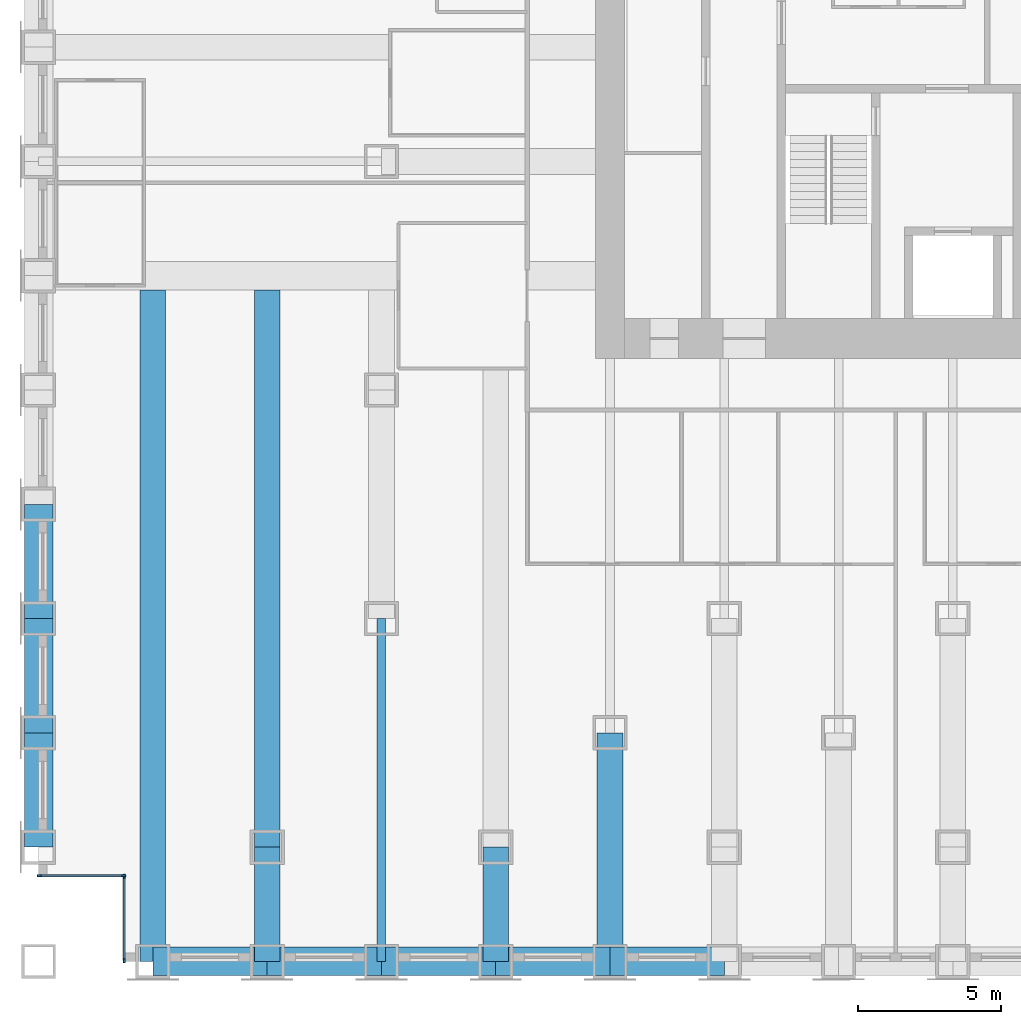
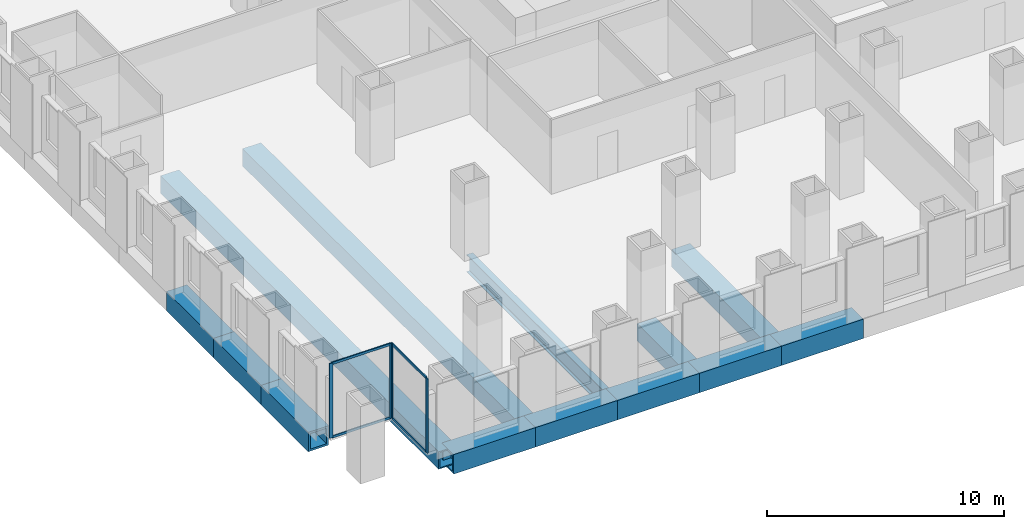
# One storey, part 2 of 15: 14 beams, 8 members, 2 elements without a shape of their own.
"""IFC4 building model written with IfcOpenShell, lengths in metres."""

import ifcopenshell
import ifcopenshell.guid

model = None  # the IFC model being written
_history = None  # IfcOwnerHistory: only IFC2X3 demands one
_inside = {}  # id of a spatial element -> (the spatial element, [elements in it])
_under = {}  # id of a project, library or spatial element -> (it, [spatial elements below it])
_declared = {}  # id of a project -> (the project, [libraries it declares])
_typed = {}  # id of a type object -> (the type object, [elements of that type])
_made_of = {}  # id of a material, layer set ... -> (it, [elements and type objects made of it])


def new_model(schema):
    """Start an empty IFC model of exactly this schema.

    Asked for "IFC4X3", IfcOpenShell would pick the latest addendum, in which some entities
    have other attributes; the version numbers below select the first issue.
    IFC2X3 requires an IfcOwnerHistory on every rooted entity: one is made here for all.
    """
    global model, _history
    if schema == "IFC4X3":
        model = ifcopenshell.file(schema_version=(4, 3, 0, 0))
    else:
        model = ifcopenshell.file(schema=schema)
    _inside.clear()
    _under.clear()
    _declared.clear()
    _typed.clear()
    _made_of.clear()
    _history = None
    if model.schema == "IFC2X3":
        org = make("IfcOrganization", Name="unknown")
        user = make(
            "IfcPersonAndOrganization",
            ThePerson=make("IfcPerson", FamilyName="unknown"),
            TheOrganization=org,
        )
        app = make(
            "IfcApplication",
            ApplicationDeveloper=org,
            Version="unknown",
            ApplicationFullName="unknown",
            ApplicationIdentifier="unknown",
        )
        _history = make(
            "IfcOwnerHistory",
            OwningUser=user,
            OwningApplication=app,
            ChangeAction="ADDED",
            CreationDate=0,
        )
    return model


def make(cls, **values):
    """One entity of the class cls with the attributes given. An attribute that is None is left unset."""
    return model.create_entity(
        cls, **{name: value for name, value in values.items() if value is not None}
    )


def rooted(cls, **values):
    """An entity with a GlobalId (a new one), such as an element, a storey or a relation."""
    return make(cls, GlobalId=ifcopenshell.guid.new(), OwnerHistory=_history, **values)


def si_unit(unit_type, name, prefix=None):
    """IfcSIUnit, for example si_unit("LENGTHUNIT", "METRE", prefix="MILLI")."""
    return make("IfcSIUnit", UnitType=unit_type, Prefix=prefix, Name=name)


def assignment(units):
    """IfcUnitAssignment: the units of a project."""
    return None if units is None else make("IfcUnitAssignment", Units=units)


def point(xyz):
    """IfcCartesianPoint."""
    return None if xyz is None else make("IfcCartesianPoint", Coordinates=xyz)


def direction(xyz):
    """IfcDirection."""
    return None if xyz is None else make("IfcDirection", DirectionRatios=xyz)


def frame(location, z_axis=None, x_axis=None):
    """IfcAxis2Placement3D, a coordinate frame: its origin and axes. An axis left out is left unset."""
    return make(
        "IfcAxis2Placement3D",
        Location=point(location),
        Axis=direction(z_axis),
        RefDirection=direction(x_axis),
    )


def frame_2d(location, x_axis=None):
    """IfcAxis2Placement2D, a coordinate frame in the plane: its origin and x axis."""
    return make(
        "IfcAxis2Placement2D", Location=point(location), RefDirection=direction(x_axis)
    )


def origin():
    """The frame at (0, 0, 0) with its axes left unset."""
    return frame((0.0, 0.0, 0.0))


def origin_2d():
    """The frame at (0, 0) in the plane with its x axis left unset."""
    return frame_2d((0.0, 0.0))


def place(relative_to, where):
    """IfcLocalPlacement: puts the frame where relative to a parent placement (None: the world)."""
    return make(
        "IfcLocalPlacement", PlacementRelTo=relative_to, RelativePlacement=where
    )


def context(
    kind, dimensions, precision=None, world=None, true_north=None, identifier=None
):
    """IfcGeometricRepresentationContext, for example the 3D "Model" context."""
    return make(
        "IfcGeometricRepresentationContext",
        ContextIdentifier=identifier,
        ContextType=kind,
        CoordinateSpaceDimension=dimensions,
        Precision=precision,
        WorldCoordinateSystem=world,
        TrueNorth=true_north,
    )


def subcontext(parent, identifier, kind, view, scale=None):
    """IfcGeometricRepresentationSubContext, for example "Body" below "Model"."""
    return make(
        "IfcGeometricRepresentationSubContext",
        ContextIdentifier=identifier,
        ContextType=kind,
        ParentContext=parent,
        TargetScale=scale,
        TargetView=view,
    )


def project(units=None, contexts=None):
    """IfcProject with its units and contexts."""
    return rooted(
        "IfcProject",
        Name="project",
        RepresentationContexts=contexts,
        UnitsInContext=assignment(units),
    )


def spatial(cls, under=None, at=None, **own):
    """A site, building, storey or space (cls), placed at a placement, below another one or the project."""
    s = rooted(cls, ObjectPlacement=at, **own)
    if under is not None:
        _under.setdefault(under.id(), (under, []))[1].append(s)
    return s


def profile(cls, at=None, kind="AREA", **sizes):
    """A parametric profile (cls). Its sizes go by their IFC names, for example OverallWidth=200.0."""
    return make(cls, ProfileType=kind, Position=at, **sizes)


def rectangle(**sizes):
    """IfcRectangleProfileDef."""
    return profile("IfcRectangleProfileDef", **sizes)


def hollow_rectangle(**sizes):
    """IfcRectangleHollowProfileDef."""
    return profile("IfcRectangleHollowProfileDef", **sizes)


def i_section(**sizes):
    """IfcIShapeProfileDef."""
    return profile("IfcIShapeProfileDef", **sizes)


def extrude(swept, where, along, depth):
    """IfcExtrudedAreaSolid: the profile swept, set in the frame where, extruded along a direction by depth."""
    return make(
        "IfcExtrudedAreaSolid",
        SweptArea=swept,
        Position=where,
        ExtrudedDirection=direction(along),
        Depth=depth,
    )


def shape(context_of_items, identifier, shape_type, items):
    """IfcShapeRepresentation: the items that make up one representation, for example the "Body"."""
    return make(
        "IfcShapeRepresentation",
        ContextOfItems=context_of_items,
        RepresentationIdentifier=identifier,
        RepresentationType=shape_type,
        Items=items,
    )


def material(Name=None, Category=None):
    """IfcMaterial."""
    return make("IfcMaterial", Name=Name, Category=Category)


def material_profile(
    of_material, cross_section, Name=None, Category=None, Priority=None
):
    """IfcMaterialProfile: a cross section and its material."""
    return make(
        "IfcMaterialProfile",
        Name=Name,
        Material=of_material,
        Profile=cross_section,
        Priority=Priority,
        Category=Category,
    )


def profile_set(profiles, Name=None, composite=None):
    """IfcMaterialProfileSet."""
    return make(
        "IfcMaterialProfileSet",
        Name=Name,
        MaterialProfiles=profiles,
        CompositeProfile=composite,
    )


def made_of(thing, what):
    """Note that an element or type object is made of a material, layer set ...; save() writes the relation."""
    if what is not None:
        _made_of.setdefault(what.id(), (what, []))[1].append(thing)
    return thing


def type_object(cls, material=None, **own):
    """A type object (cls), such as IfcWallType, which elements share."""
    return made_of(rooted(cls, **own), material)


def element(
    cls,
    number,
    at=None,
    inside=None,
    cuts=None,
    type_object=None,
    material=None,
    context=None,
    identifier="Body",
    shape_type=None,
    held_by="IfcProductDefinitionShape",
    body=None,
    shapes=None,
    **own,
):
    """One element of the class cls, such as IfcWall. Its Tag is "e" and its number.

    at: its placement. inside: the storey or other place that contains it. cuts: it is an
    opening in that element (IfcRelVoidsElement). A single representation is given by context,
    identifier, shape_type and body (its items); several are given by shapes. held_by: the class
    of the entity that holds the representations. save() writes the other relations.
    """
    e = rooted(cls, Tag="e%d" % number, ObjectPlacement=at, **own)
    if body is not None:
        shapes = [shape(context, identifier, shape_type, body)]
    if shapes is not None:
        e.Representation = make(held_by, Representations=shapes)
    if inside is not None:
        _inside.setdefault(inside.id(), (inside, []))[1].append(e)
    if cuts is not None:
        rooted(
            "IfcRelVoidsElement", RelatingBuildingElement=cuts, RelatedOpeningElement=e
        )
    if type_object is not None:
        _typed.setdefault(type_object.id(), (type_object, []))[1].append(e)
    return made_of(e, material)


def aggregate(whole, parts):
    """IfcRelAggregates: a whole, such as a stair, and the parts it consists of."""
    return rooted("IfcRelAggregates", RelatingObject=whole, RelatedObjects=parts)


def save(model, path):
    """Write the relations noted so far, then the file.

    IfcRelAggregates (storeys below a building ...), IfcRelContainedInSpatialStructure (elements
    in a storey), IfcRelDefinesByType, IfcRelAssociatesMaterial and IfcRelDeclares: one each for
    every whole, place, type object, material and project.
    """
    for whole, parts in _under.values():
        aggregate(whole, parts)
    for where, things in _inside.values():
        rooted(
            "IfcRelContainedInSpatialStructure",
            RelatedElements=things,
            RelatingStructure=where,
        )
    for kind, things in _typed.values():
        rooted("IfcRelDefinesByType", RelatedObjects=things, RelatingType=kind)
    for what, things in _made_of.values():
        rooted("IfcRelAssociatesMaterial", RelatedObjects=things, RelatingMaterial=what)
    for by, libraries in _declared.values():
        rooted("IfcRelDeclares", RelatingContext=by, RelatedDefinitions=libraries)
    model.write(path)


model = new_model("IFC4")

# Units and contexts
model_context = context("Model", 3, precision=1e-05, world=origin(), true_north=direction((0.0, 1.0)))
body_context = subcontext(model_context, "Body", "Model", "MODEL_VIEW")
ifc_project = project(units=[si_unit("LENGTHUNIT", "METRE"), si_unit("AREAUNIT", "SQUARE_METRE"), si_unit("VOLUMEUNIT", "CUBIC_METRE"), si_unit("PLANEANGLEUNIT", "RADIAN"), si_unit("MASSUNIT", "GRAM", prefix="KILO")], contexts=[model_context])

# Site, building, storey
site_placement = place(None, origin())
site = spatial("IfcSite", under=ifc_project, at=site_placement, CompositionType="ELEMENT")
building_placement = place(site_placement, origin())
building = spatial("IfcBuilding", under=site, at=building_placement, Name="Rimbunsela Tower", CompositionType="ELEMENT")
storey_placement = place(building_placement, frame((0.0, 0.0, 27.0)))
storey = spatial("IfcBuildingStorey", under=building, at=storey_placement, Name="L06", CompositionType="ELEMENT", Elevation=27.0)

# Beams
ifc_material_1 = material(Name="Steel BJ 55 (fy 410 MPa)", Category="steel")
ifc_material_profile_1 = material_profile(ifc_material_1, hollow_rectangle(XDim=1.0, YDim=1.0, WallThickness=0.10009765625, at=origin_2d()), Name="BOX 1000x1000x100")
ifc_profile_set_1 = profile_set([ifc_material_profile_1], Name="Steel BJ 55 (fy 410 MPa)")
beam_type_1 = type_object("IfcBeamType", Name="Beam BOX 1000x1000x100", PredefinedType="BEAM", material=ifc_profile_set_1)
for number, where, z_axis, x_axis, name in (
    (1, (-2.0, 0.0, -0.64990234375), (0.0, 1.0, 0.0), (-1.0, 0.0, 0.0), "Beam B3 L06"),
    (2, (-2.0, 4.0, -0.64990234375), (0.0, 1.0, 0.0), (-1.0, 0.0, 0.0), "Beam B3 L06"),
    (3, (-2.0, 8.0, -0.64990234375), (0.0, 1.0, 0.0), (-1.0, 0.0, 0.0), "Beam B3 L06"),
    (4, (2.0, -4.0, -0.64990234375), (1.0, 0.0, 0.0), (0.0, 1.0, 0.0), "Beam B3 L06"),
    (5, (6.0, -4.0, -0.64990234375), (1.0, 0.0, 0.0), (0.0, 1.0, 0.0), "Beam B3 L06"),
    (6, (10.0, -4.0, -0.64990234375), (1.0, 0.0, 0.0), (0.0, 1.0, 0.0), "Beam B3 L06"),
    (7, (14.0, -4.0, -0.64990234375), (1.0, 0.0, 0.0), (0.0, 1.0, 0.0), "Beam B3 L06"),
    (8, (18.0, -4.0, -0.64990234375), (1.0, 0.0, 0.0), (0.0, 1.0, 0.0), "Beam B3 L06"),
):
    element("IfcBeam", number, at=place(storey_placement, frame(where, z_axis=z_axis, x_axis=x_axis)), inside=storey, type_object=beam_type_1, Name=name, PredefinedType="BEAM", context=body_context, shape_type="SweptSolid", body=[
        extrude(hollow_rectangle(XDim=1.0, YDim=1.0, WallThickness=0.10009765625, at=origin_2d()), origin(), (0.0, 0.0, 1.0), 4.0),
    ])
ifc_material_2 = material(Name="Steel BJ 55 (fy 410 MPa)", Category="steel")
ifc_material_profile_2 = material_profile(ifc_material_2, hollow_rectangle(XDim=0.89990234375, YDim=0.89990234375, WallThickness=0.06005859375, at=origin_2d()), Name="BOX 900x900x60")
ifc_profile_set_2 = profile_set([ifc_material_profile_2], Name="Steel BJ 55 (fy 410 MPa)")
beam_type_2 = type_object("IfcBeamType", Name="Beam BOX 900x900x60", PredefinedType="BEAM", material=ifc_profile_set_2)
beam_1_placement = place(storey_placement, frame((2.0, -4.0, -0.60009765625), z_axis=(0.0, 1.0, 0.0), x_axis=(-1.0, 0.0, 0.0)))
element("IfcBeam", 9, at=beam_1_placement, inside=storey, type_object=beam_type_2, Name="Beam B1 L06", PredefinedType="BEAM", context=body_context, shape_type="SweptSolid", body=[
    extrude(hollow_rectangle(XDim=0.89990234375, YDim=0.89990234375, WallThickness=0.06005859375, at=origin_2d()), origin(), (0.0, 0.0, 1.0), 23.5),
])
beam_2_placement = place(storey_placement, frame((6.0, -4.0, -0.60009765625), z_axis=(0.0, 1.0, 0.0), x_axis=(-1.0, 0.0, 0.0)))
element("IfcBeam", 10, at=beam_2_placement, inside=storey, type_object=beam_type_2, Name="Beam B1 L06", PredefinedType="BEAM", context=body_context, shape_type="SweptSolid", body=[
    extrude(hollow_rectangle(XDim=0.89990234375, YDim=0.89990234375, WallThickness=0.06005859375, at=origin_2d()), origin(), (0.0, 0.0, 1.0), 4.0),
])
beam_3_placement = place(storey_placement, frame((6.0, 0.0, -0.60009765625), z_axis=(0.0, 1.0, 0.0), x_axis=(-1.0, 0.0, 0.0)))
element("IfcBeam", 11, at=beam_3_placement, inside=storey, type_object=beam_type_2, Name="Beam B1 L06", PredefinedType="BEAM", context=body_context, shape_type="SweptSolid", body=[
    extrude(hollow_rectangle(XDim=0.89990234375, YDim=0.89990234375, WallThickness=0.06005859375, at=origin_2d()), origin(), (0.0, 0.0, 1.0), 19.5),
])
beam_4_placement = place(storey_placement, frame((14.0, -4.0, -0.60009765625), z_axis=(0.0, 1.0, 0.0), x_axis=(-1.0, 0.0, 0.0)))
element("IfcBeam", 12, at=beam_4_placement, inside=storey, type_object=beam_type_2, Name="Beam B1 L06", PredefinedType="BEAM", context=body_context, shape_type="SweptSolid", body=[
    extrude(hollow_rectangle(XDim=0.89990234375, YDim=0.89990234375, WallThickness=0.06005859375, at=origin_2d()), origin(), (0.0, 0.0, 1.0), 4.0),
])
beam_5_placement = place(storey_placement, frame((18.0, -4.0, -0.60009765625), z_axis=(0.0, 1.0, 0.0), x_axis=(-1.0, 0.0, 0.0)))
element("IfcBeam", 13, at=beam_5_placement, inside=storey, type_object=beam_type_2, Name="Beam B1 L06", PredefinedType="BEAM", context=body_context, shape_type="SweptSolid", body=[
    extrude(hollow_rectangle(XDim=0.89990234375, YDim=0.89990234375, WallThickness=0.06005859375, at=origin_2d()), origin(), (0.0, 0.0, 1.0), 8.0),
])
ifc_material_3 = material(Name="Steel BJ 55 (fy 410 MPa)", Category="steel")
ifc_material_profile_3 = material_profile(ifc_material_3, i_section(OverallWidth=0.300048828125, OverallDepth=0.89990234375, WebThickness=0.01611328125, FlangeThickness=0.028076171875, FilletRadius=0.028076171875, at=origin_2d()), Name="H 900x300x16x28")
ifc_profile_set_3 = profile_set([ifc_material_profile_3], Name="Steel BJ 55 (fy 410 MPa)")
beam_type_3 = type_object("IfcBeamType", Name="Beam H 900x300x16x28", PredefinedType="BEAM", material=ifc_profile_set_3)
beam_6_placement = place(storey_placement, frame((10.0, -4.0, -0.60009765625), z_axis=(0.0, 1.0, 0.0), x_axis=(-1.0, 0.0, 0.0)))
element("IfcBeam", 14, at=beam_6_placement, inside=storey, type_object=beam_type_3, Name="Beam B2 L06", PredefinedType="BEAM", context=body_context, shape_type="SweptSolid", body=[
    extrude(i_section(OverallWidth=0.300048828125, OverallDepth=0.89990234375, WebThickness=0.01611328125, FlangeThickness=0.028076171875, FilletRadius=0.028076171875, at=origin_2d()), origin(), (0.0, 0.0, 1.0), 12.0),
])

# Curtain wall, members
ifc_material_4 = material(Name="Aluminium curtain wall", Category="aluminium")
curtain_wall_type = type_object("IfcCurtainWallType", Name="Corner glazing", PredefinedType="USERDEFINED", material=ifc_material_4)
curtain_wall_1_placement = place(storey_placement, origin())
curtain_wall_1 = element("IfcCurtainWall", 15, at=curtain_wall_1_placement, inside=storey, type_object=curtain_wall_type, Name="Corner glazing L06", ObjectType="CORNER GLAZING", PredefinedType="USERDEFINED")
ifc_material_5 = material(Name="Aluminium mullion", Category="aluminium")
ifc_material_profile_4 = material_profile(ifc_material_5, rectangle(XDim=0.06005859375, YDim=0.159912109375, at=origin_2d()), Name="Mullion 60x160")
ifc_profile_set_4 = profile_set([ifc_material_profile_4], Name="Aluminium mullion")
member_type_1 = type_object("IfcMemberType", Name="Curtain wall mullion 60x160", PredefinedType="MULLION", material=ifc_profile_set_4)
member_1_placement = place(storey_placement, frame((-1.969970703125, -1.0, 0.0), z_axis=(0.0, 0.0, 1.0), x_axis=(0.0, 1.0, 0.0)))
member_1 = element("IfcMember", 16, at=member_1_placement, type_object=member_type_1, Name="CW5 mullion 1", PredefinedType="MULLION", context=body_context, shape_type="SweptSolid", body=[
    extrude(rectangle(XDim=0.06005859375, YDim=0.159912109375, at=origin_2d()), origin(), (0.0, 0.0, 1.0), 3.85009765625),
])
member_2_placement = place(storey_placement, frame((0.969970703125, -1.0, 0.0), z_axis=(0.0, 0.0, 1.0), x_axis=(0.0, 1.0, 0.0)))
member_2 = element("IfcMember", 17, at=member_2_placement, type_object=member_type_1, Name="CW5 mullion 2", PredefinedType="MULLION", context=body_context, shape_type="SweptSolid", body=[
    extrude(rectangle(XDim=0.06005859375, YDim=0.159912109375, at=origin_2d()), origin(), (0.0, 0.0, 1.0), 3.85009765625),
])

curtain_wall_2_placement = place(storey_placement, origin())
curtain_wall_2 = element("IfcCurtainWall", 18, at=curtain_wall_2_placement, inside=storey, type_object=curtain_wall_type, Name="Corner glazing L06", ObjectType="CORNER GLAZING", PredefinedType="USERDEFINED")
member_3_placement = place(storey_placement, frame((1.0, -1.030029296875, 0.0), z_axis=(0.0, 0.0, 1.0), x_axis=(1.0, 0.0, 0.0)))
member_3 = element("IfcMember", 19, at=member_3_placement, type_object=member_type_1, Name="CW5 mullion 1", PredefinedType="MULLION", context=body_context, shape_type="SweptSolid", body=[
    extrude(rectangle(XDim=0.06005859375, YDim=0.159912109375, at=origin_2d()), origin(), (0.0, 0.0, 1.0), 3.85009765625),
])
member_4_placement = place(storey_placement, frame((1.0, -3.969970703125, 0.0), z_axis=(0.0, 0.0, 1.0), x_axis=(1.0, 0.0, 0.0)))
member_4 = element("IfcMember", 20, at=member_4_placement, type_object=member_type_1, Name="CW5 mullion 2", PredefinedType="MULLION", context=body_context, shape_type="SweptSolid", body=[
    extrude(rectangle(XDim=0.06005859375, YDim=0.159912109375, at=origin_2d()), origin(), (0.0, 0.0, 1.0), 3.85009765625),
])

# Member
ifc_material_6 = material(Name="Aluminium transom", Category="aluminium")
ifc_material_profile_5 = material_profile(ifc_material_6, rectangle(XDim=0.06005859375, YDim=0.1201171875, at=origin_2d()), Name="Transom 60x120")
ifc_profile_set_5 = profile_set([ifc_material_profile_5], Name="Aluminium transom")
member_type_2 = type_object("IfcMemberType", Name="Curtain wall transom 60x120", PredefinedType="USERDEFINED", material=ifc_profile_set_5)
member_5_placement = place(storey_placement, frame((-1.93994140625, -1.0, 0.030029296875), z_axis=(1.0, 0.0, 0.0), x_axis=(0.0, 1.0, 0.0)))
member_5 = element("IfcMember", 21, at=member_5_placement, type_object=member_type_2, Name="CW5 transom 1.1", ObjectType="TRANSOM", PredefinedType="USERDEFINED", context=body_context, shape_type="SweptSolid", body=[
    extrude(rectangle(XDim=0.06005859375, YDim=0.1201171875, at=origin_2d()), origin(), (0.0, 0.0, 1.0), 2.8798828125),
])

member_6_placement = place(storey_placement, frame((-1.93994140625, -1.0, 3.820068359375), z_axis=(1.0, 0.0, 0.0), x_axis=(0.0, 1.0, 0.0)))
member_6 = element("IfcMember", 22, at=member_6_placement, type_object=member_type_2, Name="CW5 transom 1.2", ObjectType="TRANSOM", PredefinedType="USERDEFINED", context=body_context, shape_type="SweptSolid", body=[
    extrude(rectangle(XDim=0.06005859375, YDim=0.1201171875, at=origin_2d()), origin(), (0.0, 0.0, 1.0), 2.8798828125),
])

aggregate(curtain_wall_1, [member_1, member_2, member_5, member_6])

member_7_placement = place(storey_placement, frame((1.0, -1.06005859375, 0.030029296875), z_axis=(0.0, -1.0, 0.0), x_axis=(1.0, 0.0, 0.0)))
member_7 = element("IfcMember", 23, at=member_7_placement, type_object=member_type_2, Name="CW5 transom 1.1", ObjectType="TRANSOM", PredefinedType="USERDEFINED", context=body_context, shape_type="SweptSolid", body=[
    extrude(rectangle(XDim=0.06005859375, YDim=0.1201171875, at=origin_2d()), origin(), (0.0, 0.0, 1.0), 2.8798828125),
])

member_8_placement = place(storey_placement, frame((1.0, -1.06005859375, 3.820068359375), z_axis=(0.0, -1.0, 0.0), x_axis=(1.0, 0.0, 0.0)))
member_8 = element("IfcMember", 24, at=member_8_placement, type_object=member_type_2, Name="CW5 transom 1.2", ObjectType="TRANSOM", PredefinedType="USERDEFINED", context=body_context, shape_type="SweptSolid", body=[
    extrude(rectangle(XDim=0.06005859375, YDim=0.1201171875, at=origin_2d()), origin(), (0.0, 0.0, 1.0), 2.8798828125),
])

aggregate(curtain_wall_2, [member_3, member_4, member_7, member_8])

save(model, "model.ifc")
